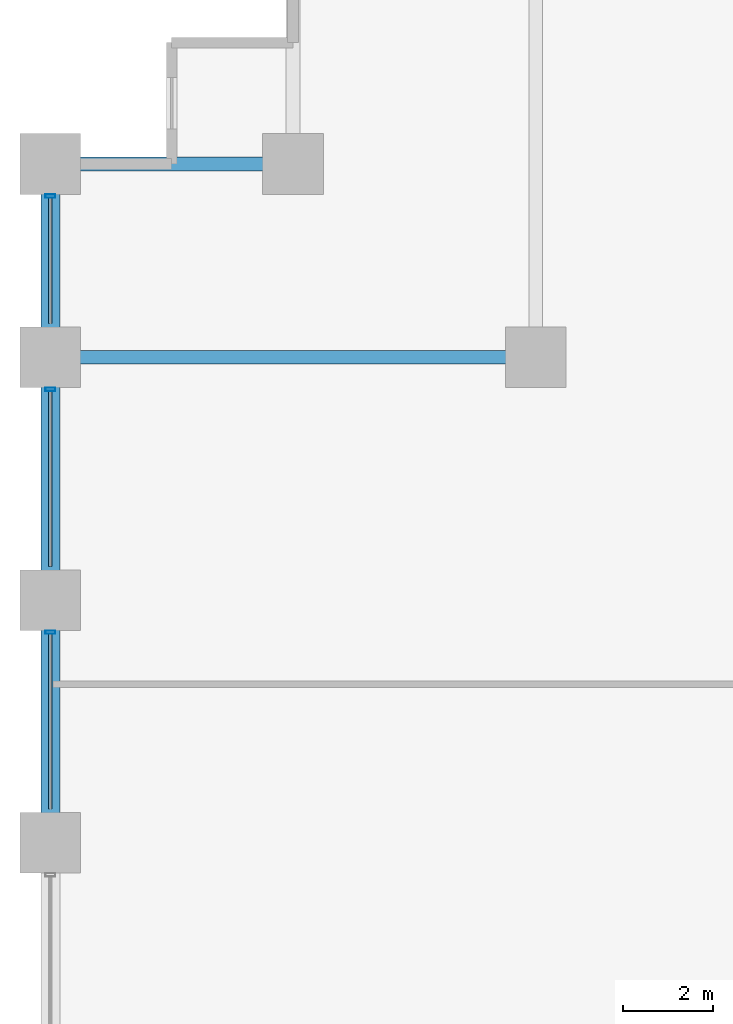
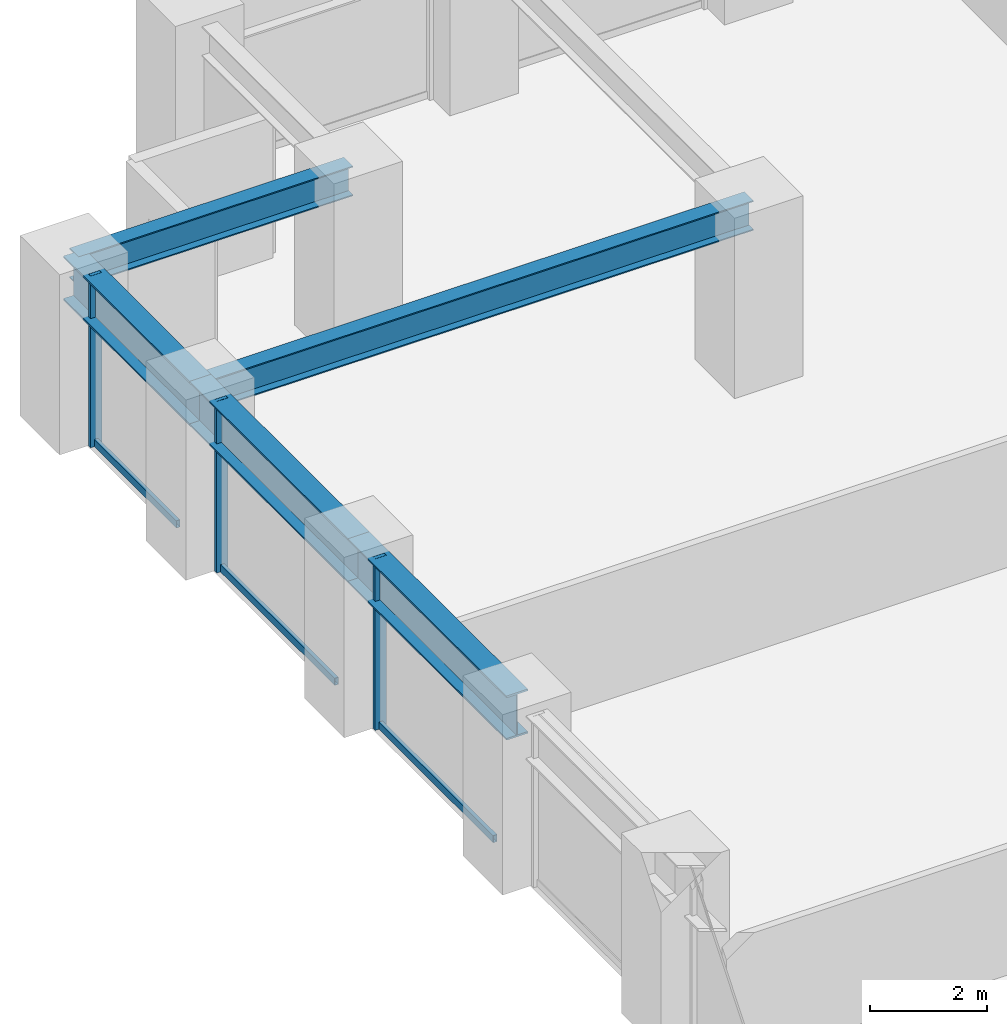
# One storey, part 10 of 25: 6 members, 5 beams, 1 element without a shape of its own.
"""IFC4 building model written with IfcOpenShell, lengths in metres."""

from ifc_helpers import new_model, si_unit, direction, frame, origin, origin_2d, place, context, subcontext, project, spatial, hollow_rectangle, i_section, extrude, material, layer, layer_set, material_profile, profile_set, type_object, element, aggregate, save


model = new_model("IFC4")

# Units and contexts
model_context = context("Model", 3, precision=1e-05, world=origin(), true_north=direction((0.0, 1.0)))
body_context = subcontext(model_context, "Body", "Model", "MODEL_VIEW")
ifc_project = project(units=[si_unit("LENGTHUNIT", "METRE"), si_unit("AREAUNIT", "SQUARE_METRE"), si_unit("VOLUMEUNIT", "CUBIC_METRE"), si_unit("PLANEANGLEUNIT", "RADIAN"), si_unit("MASSUNIT", "GRAM", prefix="KILO")], contexts=[model_context])

# Site, building, storey
site_placement = place(None, origin())
site = spatial("IfcSite", under=ifc_project, at=site_placement, CompositionType="ELEMENT")
building_placement = place(site_placement, origin())
building = spatial("IfcBuilding", under=site, at=building_placement, Name="Surkhivell Harbour Commons", CompositionType="ELEMENT")
storey_placement = place(building_placement, frame((0.0, 0.0, 52.5)))
storey = spatial("IfcBuildingStorey", under=building, at=storey_placement, Name="L13", CompositionType="ELEMENT", Elevation=52.5)

# Beams
ifc_material_1 = material(Name="Steel S355", Category="steel")
ifc_material_profile_1 = material_profile(ifc_material_1, i_section(OverallWidth=0.306884765625, OverallDepth=0.6201171875, WebThickness=0.01416015625, FlangeThickness=0.023681640625, at=origin_2d()), Name="UB610x305x179")
ifc_profile_set_1 = profile_set([ifc_material_profile_1], Name="Steel S355")
beam_type_1 = type_object("IfcBeamType", Name="BM-GRD-610A", PredefinedType="BEAM", material=ifc_profile_set_1)
beam_1_placement = place(storey_placement, frame((-32.39990234375, 16.199951171875, 3.260009765625), z_axis=(1.0, 0.0, 0.0), x_axis=(0.0, 1.0, 0.0)))
element("IfcBeam", 1, at=beam_1_placement, inside=storey, type_object=beam_type_1, Name="L13 Floor Girder (-32.4,16.2)", PredefinedType="BEAM", context=body_context, shape_type="SweptSolid", body=[
    extrude(i_section(OverallWidth=0.306884765625, OverallDepth=0.6201171875, WebThickness=0.01416015625, FlangeThickness=0.023681640625, at=origin_2d()), origin(), (0.0, 0.0, 1.0), 10.7998046875),
])
beam_2_placement = place(storey_placement, frame((-32.39990234375, 20.5, 3.260009765625), z_axis=(1.0, 0.0, 0.0), x_axis=(0.0, 1.0, 0.0)))
element("IfcBeam", 2, at=beam_2_placement, inside=storey, type_object=beam_type_1, Name="L13 Floor Girder (-32.4,20.5)", PredefinedType="BEAM", context=body_context, shape_type="SweptSolid", body=[
    extrude(i_section(OverallWidth=0.306884765625, OverallDepth=0.6201171875, WebThickness=0.01416015625, FlangeThickness=0.023681640625, at=origin_2d()), origin(), (0.0, 0.0, 1.0), 5.39990234375),
])
ifc_material_2 = material(Name="Steel S460", Category="steel")
ifc_material_profile_2 = material_profile(ifc_material_2, i_section(OverallWidth=0.419921875, OverallDepth=0.9208984375, WebThickness=0.021484375, FlangeThickness=0.03662109375, at=origin_2d()), Name="UB914x419x388")
ifc_profile_set_2 = profile_set([ifc_material_profile_2], Name="Steel S460")
beam_type_2 = type_object("IfcBeamType", Name="BM-SPN-914A", PredefinedType="SPANDREL", material=ifc_profile_set_2)
beam_3_placement = place(storey_placement, frame((-32.39990234375, 5.39990234375, 3.109619140625), z_axis=(0.0, 1.0, 0.0), x_axis=(-1.0, 0.0, 0.0)))
element("IfcBeam", 3, at=beam_3_placement, inside=storey, type_object=beam_type_2, Name="L13 Tube Spandrel (-32.4,5.4)", PredefinedType="SPANDREL", context=body_context, shape_type="SweptSolid", body=[
    extrude(i_section(OverallWidth=0.419921875, OverallDepth=0.9208984375, WebThickness=0.021484375, FlangeThickness=0.03662109375, at=origin_2d()), origin(), (0.0, 0.0, 1.0), 5.400146484375),
])
beam_4_placement = place(storey_placement, frame((-32.39990234375, 10.800048828125, 3.109619140625), z_axis=(0.0, 1.0, 0.0), x_axis=(-1.0, 0.0, 0.0)))
element("IfcBeam", 4, at=beam_4_placement, inside=storey, type_object=beam_type_2, Name="L13 Tube Spandrel (-32.4,10.8)", PredefinedType="SPANDREL", context=body_context, shape_type="SweptSolid", body=[
    extrude(i_section(OverallWidth=0.419921875, OverallDepth=0.9208984375, WebThickness=0.021484375, FlangeThickness=0.03662109375, at=origin_2d()), origin(), (0.0, 0.0, 1.0), 5.39990234375),
])
beam_5_placement = place(storey_placement, frame((-32.39990234375, 16.199951171875, 3.109619140625), z_axis=(0.0, 1.0, 0.0), x_axis=(-1.0, 0.0, 0.0)))
element("IfcBeam", 5, at=beam_5_placement, inside=storey, type_object=beam_type_2, Name="L13 Tube Spandrel (-32.4,16.2)", PredefinedType="SPANDREL", context=body_context, shape_type="SweptSolid", body=[
    extrude(i_section(OverallWidth=0.419921875, OverallDepth=0.9208984375, WebThickness=0.021484375, FlangeThickness=0.03662109375, at=origin_2d()), origin(), (0.0, 0.0, 1.0), 4.300048828125),
])

# Curtain wall, members
ifc_material_3 = material(Name="Anodised pale-metal aluminium and insulated glazing", Category="aluminium")
ifc_layer = layer(ifc_material_3, 0.219970703125)
ifc_layer_set = layer_set([ifc_layer], Name="Anodised pale-metal aluminium and insulated glazing")
curtain_wall_type = type_object("IfcCurtainWallType", Name="CW-SYS-Z1", PredefinedType="NOTDEFINED", material=ifc_layer_set)
curtain_wall_placement = place(storey_placement, origin())
curtain_wall = element("IfcCurtainWall", 6, at=curtain_wall_placement, inside=storey, type_object=curtain_wall_type, Name="L13 Curtain Wall CW-L13-E12S1", PredefinedType="NOTDEFINED")
ifc_material_4 = material(Name="Anodised pale-metal aluminium alloy 6063-T6", Category="aluminium")
ifc_material_profile_3 = material_profile(ifc_material_4, hollow_rectangle(XDim=0.074951171875, YDim=0.219970703125, WallThickness=0.00390625, at=origin_2d()), Name="ALU-MULL-75x220")
ifc_profile_set_3 = profile_set([ifc_material_profile_3], Name="Anodised pale-metal aluminium alloy 6063-T6")
member_type_1 = type_object("IfcMemberType", Name="CWM-220", PredefinedType="MULLION", material=ifc_profile_set_3)
member_1_placement = place(storey_placement, frame((-32.39990234375, 19.785400390625, 0.0), z_axis=(0.0, 0.0, 1.0), x_axis=(0.0, -1.0, 0.0)))
member_1 = element("IfcMember", 7, at=member_1_placement, type_object=member_type_1, Name="CW-Z1 mullion 1", PredefinedType="MULLION", context=body_context, shape_type="SweptSolid", body=[
    extrude(hollow_rectangle(XDim=0.074951171875, YDim=0.219970703125, WallThickness=0.00390625, at=origin_2d()), origin(), (0.0, 0.0, 1.0), 3.570068359375),
])
member_2_placement = place(storey_placement, frame((-32.39990234375, 15.485595703125, 0.0), z_axis=(0.0, 0.0, 1.0), x_axis=(0.0, -1.0, 0.0)))
member_2 = element("IfcMember", 8, at=member_2_placement, type_object=member_type_1, Name="CW-Z1 mullion 2", PredefinedType="MULLION", context=body_context, shape_type="SweptSolid", body=[
    extrude(hollow_rectangle(XDim=0.074951171875, YDim=0.219970703125, WallThickness=0.00390625, at=origin_2d()), origin(), (0.0, 0.0, 1.0), 3.570068359375),
])
member_3_placement = place(storey_placement, frame((-32.39990234375, 10.08544921875, 0.0), z_axis=(0.0, 0.0, 1.0), x_axis=(0.0, -1.0, 0.0)))
member_3 = element("IfcMember", 9, at=member_3_placement, type_object=member_type_1, Name="CW-Z1 mullion 3", PredefinedType="MULLION", context=body_context, shape_type="SweptSolid", body=[
    extrude(hollow_rectangle(XDim=0.074951171875, YDim=0.219970703125, WallThickness=0.00390625, at=origin_2d()), origin(), (0.0, 0.0, 1.0), 3.570068359375),
])
ifc_material_profile_4 = material_profile(ifc_material_4, hollow_rectangle(XDim=0.074951171875, YDim=0.14990234375, WallThickness=0.00341796875, at=origin_2d()), Name="ALU-TRAN-75x150")
ifc_profile_set_4 = profile_set([ifc_material_profile_4], Name="Anodised pale-metal aluminium alloy 6063-T6")
member_type_2 = type_object("IfcMemberType", Name="CWT-150", PredefinedType="USERDEFINED", material=ifc_profile_set_4)
member_4_placement = place(storey_placement, frame((-32.39990234375, 19.748046875, 0.074951171875), z_axis=(0.0, -1.0, 0.0), x_axis=(1.0, 0.0, 0.0)))
member_4 = element("IfcMember", 10, at=member_4_placement, type_object=member_type_2, Name="CW-Z1 transom 1.1", ObjectType="TRANSOM", PredefinedType="USERDEFINED", context=body_context, shape_type="SweptSolid", body=[
    extrude(hollow_rectangle(XDim=0.074951171875, YDim=0.14990234375, WallThickness=0.00341796875, at=origin_2d()), origin(), (0.0, 0.0, 1.0), 2.796142578125),
])
member_5_placement = place(storey_placement, frame((-32.39990234375, 15.447998046875, 0.074951171875), z_axis=(0.0, -1.0, 0.0), x_axis=(1.0, 0.0, 0.0)))
member_5 = element("IfcMember", 11, at=member_5_placement, type_object=member_type_2, Name="CW-Z1 transom 2.1", ObjectType="TRANSOM", PredefinedType="USERDEFINED", context=body_context, shape_type="SweptSolid", body=[
    extrude(hollow_rectangle(XDim=0.074951171875, YDim=0.14990234375, WallThickness=0.00341796875, at=origin_2d()), origin(), (0.0, 0.0, 1.0), 3.89599609375),
])
member_6_placement = place(storey_placement, frame((-32.39990234375, 10.048095703125, 0.074951171875), z_axis=(0.0, -1.0, 0.0), x_axis=(1.0, 0.0, 0.0)))
member_6 = element("IfcMember", 12, at=member_6_placement, type_object=member_type_2, Name="CW-Z1 transom 3.1", ObjectType="TRANSOM", PredefinedType="USERDEFINED", context=body_context, shape_type="SweptSolid", body=[
    extrude(hollow_rectangle(XDim=0.074951171875, YDim=0.14990234375, WallThickness=0.00341796875, at=origin_2d()), origin(), (0.0, 0.0, 1.0), 3.89599609375),
])
aggregate(curtain_wall, [member_1, member_4, member_2, member_5, member_3, member_6])

save(model, "model.ifc")
